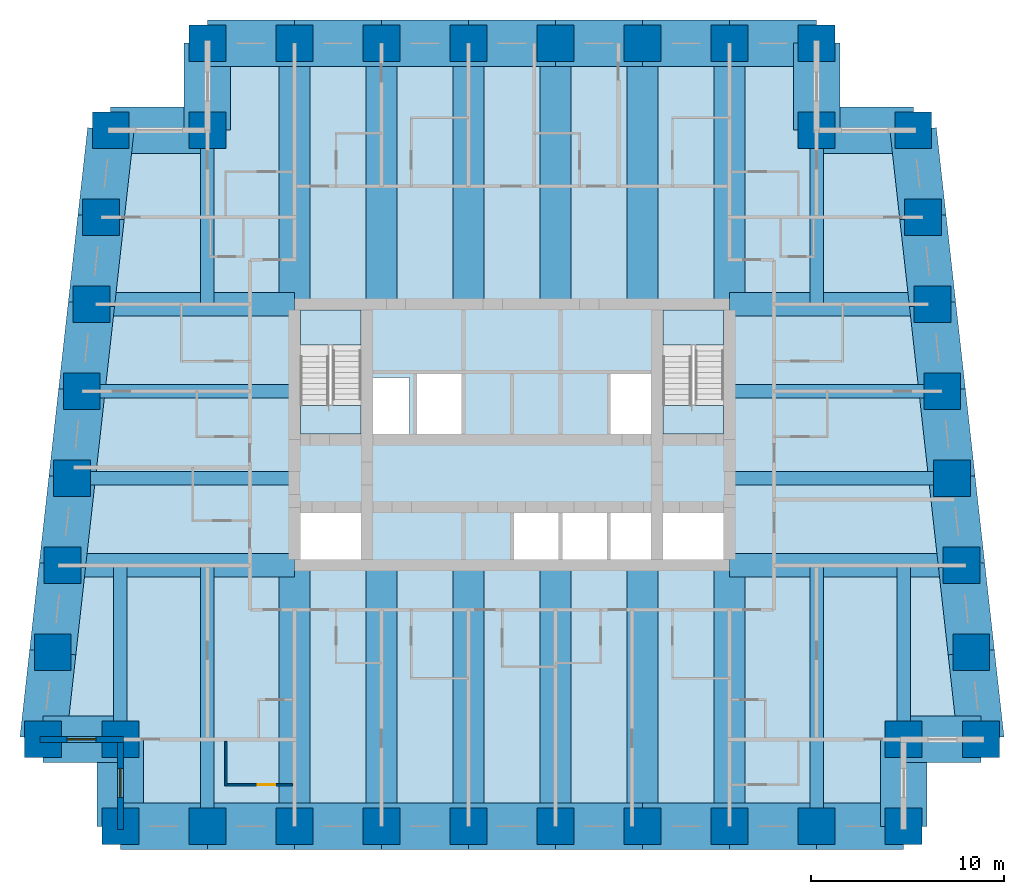
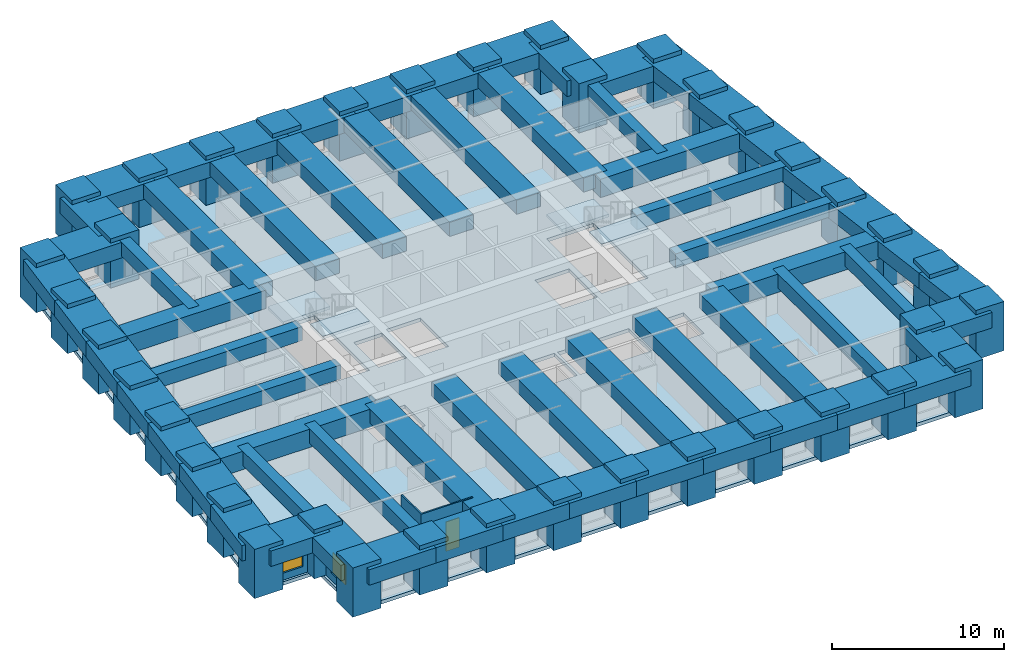
# One storey, part 1 of 8: 64 beams, 38 columns, 5 slabs, 4 walls, 2 windows, 1 door, 3 openings, 2 elements without a shape of their own.
"""IFC4 building model written with IfcOpenShell, lengths in metres."""

from ifc_helpers import new_model, si_unit, direction, frame, frame_2d, origin, origin_2d, place, context, subcontext, project, spatial, polyline, rectangle, outline, extrude, material, layer, layer_set, material_profile, profile_set, type_object, element, fill, aggregate, save


model = new_model("IFC4")

# Units and contexts
model_context = context("Model", 3, precision=1e-05, world=origin(), true_north=direction((0.0, 1.0)))
body_context = subcontext(model_context, "Body", "Model", "MODEL_VIEW")
ifc_project = project(units=[si_unit("LENGTHUNIT", "METRE"), si_unit("AREAUNIT", "SQUARE_METRE"), si_unit("VOLUMEUNIT", "CUBIC_METRE"), si_unit("PLANEANGLEUNIT", "RADIAN"), si_unit("MASSUNIT", "GRAM", prefix="KILO")], contexts=[model_context])

# Site, building, storey
site_placement = place(None, origin())
site = spatial("IfcSite", under=ifc_project, at=site_placement, CompositionType="ELEMENT")
building_placement = place(site_placement, origin())
building = spatial("IfcBuilding", under=site, at=building_placement, Name="Kilele Tower Hotel", CompositionType="ELEMENT")
storey_placement = place(building_placement, frame((0.0, 0.0, 142.39990234375)))
storey = spatial("IfcBuildingStorey", under=building, at=storey_placement, Name="L37", CompositionType="ELEMENT", Elevation=142.39990234375)

# Columns
ifc_material_1 = material(Name="Concrete C70/85", Category="concrete")
ifc_material_profile_1 = material_profile(ifc_material_1, rectangle(XDim=1.89990234375, YDim=1.89990234375, at=origin_2d()))
ifc_profile_set_1 = profile_set([ifc_material_profile_1], Name="Concrete C70/85")
column_type = type_object("IfcColumnType", Name="Tube column RC 1900x1900 C70/85", PredefinedType="COLUMN", material=ifc_profile_set_1)
for number, where, z_axis, x_axis, name in (
    (1, (0.5, 4.5, 0.0), (0.0, 0.0, 1.0), (1.0, 0.0, 0.0), "Column TC2 L37"),
    (2, (4.5, 4.5, 0.0), (0.0, 0.0, 1.0), (1.0, 0.0, 0.0), "Column TC2 L37"),
    (3, (4.5, 0.0, 0.0), (0.0, 0.0, 1.0), (1.0, 0.0, 0.0), "Column TC2 L37"),
    (4, (9.0, 0.0, 0.0), (0.0, 0.0, 1.0), (1.0, 0.0, 0.0), "Column TC2 L37"),
    (5, (13.5, 0.0, 0.0), (0.0, 0.0, 1.0), (1.0, 0.0, 0.0), "Column TC2 L37"),
    (6, (18.0, 0.0, 0.0), (0.0, 0.0, 1.0), (1.0, 0.0, 0.0), "Column TC2 L37"),
    (7, (22.5, 0.0, 0.0), (0.0, 0.0, 1.0), (1.0, 0.0, 0.0), "Column TC2 L37"),
    (8, (27.0, 0.0, 0.0), (0.0, 0.0, 1.0), (1.0, 0.0, 0.0), "Column TC2 L37"),
    (9, (31.5, 0.0, 0.0), (0.0, 0.0, 1.0), (1.0, 0.0, 0.0), "Column TC2 L37"),
    (10, (36.0, 0.0, 0.0), (0.0, 0.0, 1.0), (1.0, 0.0, 0.0), "Column TC2 L37"),
    (11, (40.5, 0.0, 0.0), (0.0, 0.0, 1.0), (1.0, 0.0, 0.0), "Column TC2 L37"),
    (12, (45.0, 0.0, 0.0), (0.0, 0.0, 1.0), (1.0, 0.0, 0.0), "Column TC2 L37"),
    (13, (45.0, 4.5, 0.0), (0.0, 0.0, 1.0), (1.0, 0.0, 0.0), "Column TC2 L37"),
    (14, (49.0, 4.5, 0.0), (0.0, 0.0, 1.0), (1.0, 0.0, 0.0), "Column TC2 L37"),
    (15, (48.5, 9.0, 0.0), (0.0, 0.0, 1.0), (1.0, 0.0, 0.0), "Column TC2 L37"),
    (16, (48.0, 13.5, 0.0), (0.0, 0.0, 1.0), (1.0, 0.0, 0.0), "Column TC2 L37"),
    (17, (47.5, 18.0, 0.0), (0.0, 0.0, 1.0), (1.0, 0.0, 0.0), "Column TC2 L37"),
    (18, (47.0, 22.5, 0.0), (0.0, 0.0, 1.0), (1.0, 0.0, 0.0), "Column TC2 L37"),
    (19, (46.5, 27.0, 0.0), (0.0, 0.0, 1.0), (1.0, 0.0, 0.0), "Column TC2 L37"),
    (20, (46.0, 31.5, 0.0), (0.0, 0.0, 1.0), (1.0, 0.0, 0.0), "Column TC2 L37"),
    (21, (45.5, 36.0, 0.0), (0.0, 0.0, 1.0), (1.0, 0.0, 0.0), "Column TC2 L37"),
    (22, (40.5, 36.0, 0.0), (0.0, 0.0, 1.0), (1.0, 0.0, 0.0), "Column TC2 L37"),
    (23, (40.5, 40.5, 0.0), (0.0, 0.0, 1.0), (1.0, 0.0, 0.0), "Column TC2 L37"),
    (24, (36.0, 40.5, 0.0), (0.0, 0.0, 1.0), (1.0, 0.0, 0.0), "Column TC2 L37"),
    (25, (31.5, 40.5, 0.0), (0.0, 0.0, 1.0), (1.0, 0.0, 0.0), "Column TC2 L37"),
    (26, (27.0, 40.5, 0.0), (0.0, 0.0, 1.0), (1.0, 0.0, 0.0), "Column TC2 L37"),
    (27, (22.5, 40.5, 0.0), (0.0, 0.0, 1.0), (1.0, 0.0, 0.0), "Column TC2 L37"),
    (28, (18.0, 40.5, 0.0), (0.0, 0.0, 1.0), (1.0, 0.0, 0.0), "Column TC2 L37"),
    (29, (13.5, 40.5, 0.0), (0.0, 0.0, 1.0), (1.0, 0.0, 0.0), "Column TC2 L37"),
    (30, (9.0, 40.5, 0.0), (0.0, 0.0, 1.0), (1.0, 0.0, 0.0), "Column TC2 L37"),
    (31, (9.0, 36.0, 0.0), (0.0, 0.0, 1.0), (1.0, 0.0, 0.0), "Column TC2 L37"),
    (32, (4.0, 36.0, 0.0), (0.0, 0.0, 1.0), (1.0, 0.0, 0.0), "Column TC2 L37"),
    (33, (3.5, 31.5, 0.0), (0.0, 0.0, 1.0), (1.0, 0.0, 0.0), "Column TC2 L37"),
    (34, (3.0, 27.0, 0.0), (0.0, 0.0, 1.0), (1.0, 0.0, 0.0), "Column TC2 L37"),
    (35, (2.5, 22.5, 0.0), (0.0, 0.0, 1.0), (1.0, 0.0, 0.0), "Column TC2 L37"),
    (36, (2.0, 18.0, 0.0), (0.0, 0.0, 1.0), (1.0, 0.0, 0.0), "Column TC2 L37"),
    (37, (1.5, 13.5, 0.0), (0.0, 0.0, 1.0), (1.0, 0.0, 0.0), "Column TC2 L37"),
    (38, (1.0, 9.0, 0.0), (0.0, 0.0, 1.0), (1.0, 0.0, 0.0), "Column TC2 L37"),
):
    element("IfcColumn", number, at=place(storey_placement, frame(where, z_axis=z_axis, x_axis=x_axis)), inside=storey, type_object=column_type, Name=name, PredefinedType="COLUMN", context=body_context, shape_type="SweptSolid", body=[
        extrude(rectangle(XDim=1.89990234375, YDim=1.89990234375, at=origin_2d()), origin(), (0.0, 0.0, 1.0), 3.5),
    ])

# Beams
ifc_material_2 = material(Name="Concrete C60/75", Category="concrete")
ifc_material_profile_2 = material_profile(ifc_material_2, rectangle(XDim=1.60009765625, YDim=1.0, at=origin_2d()))
ifc_profile_set_2 = profile_set([ifc_material_profile_2], Name="Concrete C60/75")
beam_type_1 = type_object("IfcBeamType", Name="Beam RC 1600x1000 C60/75", PredefinedType="BEAM", material=ifc_profile_set_2)
for number, where, z_axis, x_axis, name in (
    (39, (13.5, 0.0, 2.7001953125), (0.0, 1.0, 0.0), (-1.0, 0.0, 0.0), "Beam BC1 level L38"),
    (40, (18.0, 0.0, 2.7001953125), (0.0, 1.0, 0.0), (-1.0, 0.0, 0.0), "Beam BC1 level L38"),
    (41, (22.5, 0.0, 2.7001953125), (0.0, 1.0, 0.0), (-1.0, 0.0, 0.0), "Beam BC1 level L38"),
    (42, (27.0, 0.0, 2.7001953125), (0.0, 1.0, 0.0), (-1.0, 0.0, 0.0), "Beam BC1 level L38"),
    (43, (31.5, 0.0, 2.7001953125), (0.0, 1.0, 0.0), (-1.0, 0.0, 0.0), "Beam BC1 level L38"),
    (44, (36.0, 0.0, 2.7001953125), (0.0, 1.0, 0.0), (-1.0, 0.0, 0.0), "Beam BC1 level L38"),
    (45, (36.0, 40.5, 2.7001953125), (0.0, -1.0, 0.0), (1.0, 0.0, 0.0), "Beam BC1 level L38"),
    (46, (31.5, 40.5, 2.7001953125), (0.0, -1.0, 0.0), (1.0, 0.0, 0.0), "Beam BC1 level L38"),
    (47, (27.0, 40.5, 2.7001953125), (0.0, -1.0, 0.0), (1.0, 0.0, 0.0), "Beam BC1 level L38"),
    (48, (22.5, 40.5, 2.7001953125), (0.0, -1.0, 0.0), (1.0, 0.0, 0.0), "Beam BC1 level L38"),
    (49, (18.0, 40.5, 2.7001953125), (0.0, -1.0, 0.0), (1.0, 0.0, 0.0), "Beam BC1 level L38"),
    (50, (13.5, 40.5, 2.7001953125), (0.0, -1.0, 0.0), (1.0, 0.0, 0.0), "Beam BC1 level L38"),
):
    element("IfcBeam", number, at=place(storey_placement, frame(where, z_axis=z_axis, x_axis=x_axis)), inside=storey, type_object=beam_type_1, Name=name, PredefinedType="BEAM", context=body_context, shape_type="SweptSolid", body=[
        extrude(rectangle(XDim=1.60009765625, YDim=1.0, at=origin_2d()), origin(), (0.0, 0.0, 1.0), 13.5),
    ])
ifc_material_3 = material(Name="Concrete C60/75", Category="concrete")
ifc_material_profile_3 = material_profile(ifc_material_3, rectangle(XDim=0.699951171875, YDim=1.0, at=origin_2d()))
ifc_profile_set_3 = profile_set([ifc_material_profile_3], Name="Concrete C60/75")
beam_type_2 = type_object("IfcBeamType", Name="Beam RC 700x1000 C60/75", PredefinedType="BEAM", material=ifc_profile_set_3)
for number, where, z_axis, x_axis, name in (
    (51, (9.0, 0.0, 2.7001953125), (0.0, 1.0, 0.0), (-1.0, 0.0, 0.0), "Beam B4 level L38"),
    (52, (40.5, 0.0, 2.7001953125), (0.0, 1.0, 0.0), (-1.0, 0.0, 0.0), "Beam B4 level L38"),
):
    element("IfcBeam", number, at=place(storey_placement, frame(where, z_axis=z_axis, x_axis=x_axis)), inside=storey, type_object=beam_type_2, Name=name, PredefinedType="BEAM", context=body_context, shape_type="SweptSolid", body=[
        extrude(rectangle(XDim=0.699951171875, YDim=1.0, at=origin_2d()), origin(), (0.0, 0.0, 1.0), 13.5),
    ])
ifc_material_4 = material(Name="Concrete C60/75", Category="concrete")
ifc_material_profile_4 = material_profile(ifc_material_4, rectangle(XDim=0.699951171875, YDim=1.0, at=origin_2d()))
ifc_profile_set_4 = profile_set([ifc_material_profile_4], Name="Concrete C60/75")
beam_type_3 = type_object("IfcBeamType", Name="Beam RC 700x1000 C60/75 mid span", PredefinedType="BEAM", material=ifc_profile_set_4)
for number, where, z_axis, x_axis, name in (
    (53, (4.5, 4.5, 2.7001953125), (0.0, 1.0, 0.0), (-1.0, 0.0, 0.0), "Beam B5 level L38"),
    (54, (45.0, 4.5, 2.7001953125), (0.0, 1.0, 0.0), (-1.0, 0.0, 0.0), "Beam B5 level L38"),
):
    element("IfcBeam", number, at=place(storey_placement, frame(where, z_axis=z_axis, x_axis=x_axis)), inside=storey, type_object=beam_type_3, Name=name, PredefinedType="BEAM", context=body_context, shape_type="SweptSolid", body=[
        extrude(rectangle(XDim=0.699951171875, YDim=1.0, at=origin_2d()), origin(), (0.0, 0.0, 1.0), 9.0),
    ])
beam_1_placement = place(storey_placement, frame((47.5, 18.0, 2.7001953125), z_axis=(-1.0, 0.0, 0.0), x_axis=(0.0, -1.0, 0.0)))
element("IfcBeam", 55, at=beam_1_placement, inside=storey, type_object=beam_type_3, Name="Beam B5 level L38", PredefinedType="BEAM", context=body_context, shape_type="SweptSolid", body=[
    extrude(rectangle(XDim=0.699951171875, YDim=1.0, at=origin_2d()), origin(), (0.0, 0.0, 1.0), 11.5),
])
beam_2_placement = place(storey_placement, frame((47.0, 22.5, 2.7001953125), z_axis=(-1.0, 0.0, 0.0), x_axis=(0.0, -1.0, 0.0)))
element("IfcBeam", 56, at=beam_2_placement, inside=storey, type_object=beam_type_3, Name="Beam B5 level L38", PredefinedType="BEAM", context=body_context, shape_type="SweptSolid", body=[
    extrude(rectangle(XDim=0.699951171875, YDim=1.0, at=origin_2d()), origin(), (0.0, 0.0, 1.0), 11.0),
])
for number, where, z_axis, x_axis, name in (
    (57, (40.5, 36.0, 2.7001953125), (0.0, -1.0, 0.0), (1.0, 0.0, 0.0), "Beam B5 level L38"),
    (58, (9.0, 36.0, 2.7001953125), (0.0, -1.0, 0.0), (1.0, 0.0, 0.0), "Beam B5 level L38"),
):
    element("IfcBeam", number, at=place(storey_placement, frame(where, z_axis=z_axis, x_axis=x_axis)), inside=storey, type_object=beam_type_3, Name=name, PredefinedType="BEAM", context=body_context, shape_type="SweptSolid", body=[
        extrude(rectangle(XDim=0.699951171875, YDim=1.0, at=origin_2d()), origin(), (0.0, 0.0, 1.0), 9.0),
    ])
beam_3_placement = place(storey_placement, frame((2.5, 22.5, 2.7001953125), z_axis=(1.0, 0.0, 0.0), x_axis=(0.0, 1.0, 0.0)))
element("IfcBeam", 59, at=beam_3_placement, inside=storey, type_object=beam_type_3, Name="Beam B5 level L38", PredefinedType="BEAM", context=body_context, shape_type="SweptSolid", body=[
    extrude(rectangle(XDim=0.699951171875, YDim=1.0, at=origin_2d()), origin(), (0.0, 0.0, 1.0), 11.0),
])
beam_4_placement = place(storey_placement, frame((2.0, 18.0, 2.7001953125), z_axis=(1.0, 0.0, 0.0), x_axis=(0.0, 1.0, 0.0)))
element("IfcBeam", 60, at=beam_4_placement, inside=storey, type_object=beam_type_3, Name="Beam B5 level L38", PredefinedType="BEAM", context=body_context, shape_type="SweptSolid", body=[
    extrude(rectangle(XDim=0.699951171875, YDim=1.0, at=origin_2d()), origin(), (0.0, 0.0, 1.0), 11.5),
])
ifc_material_5 = material(Name="Concrete C60/75", Category="concrete")
ifc_material_profile_5 = material_profile(ifc_material_5, rectangle(XDim=1.199951171875, YDim=1.300048828125, at=origin_2d()))
ifc_profile_set_5 = profile_set([ifc_material_profile_5], Name="Concrete C60/75")
beam_type_4 = type_object("IfcBeamType", Name="Girder RC 1200x1300 C60/75", PredefinedType="BEAM", material=ifc_profile_set_5)
for number, where, z_axis, x_axis, name in (
    (61, (48.0, 13.5, 2.550048828125), (-1.0, 0.0, 0.0), (0.0, -1.0, 0.0), "Girder G1 level L38"),
    (62, (1.5, 13.5, 2.550048828125), (1.0, 0.0, 0.0), (0.0, 1.0, 0.0), "Girder G1 level L38"),
):
    element("IfcBeam", number, at=place(storey_placement, frame(where, z_axis=z_axis, x_axis=x_axis)), inside=storey, type_object=beam_type_4, Name=name, PredefinedType="BEAM", context=body_context, shape_type="SweptSolid", body=[
        extrude(rectangle(XDim=1.199951171875, YDim=1.300048828125, at=origin_2d()), origin(), (0.0, 0.0, 1.0), 12.0),
    ])
ifc_material_6 = material(Name="Concrete C60/75", Category="concrete")
ifc_material_profile_6 = material_profile(ifc_material_6, rectangle(XDim=1.199951171875, YDim=1.300048828125, at=origin_2d()))
ifc_profile_set_6 = profile_set([ifc_material_profile_6], Name="Concrete C60/75")
beam_type_5 = type_object("IfcBeamType", Name="Girder RC 1200x1300 C60/75 mid span", PredefinedType="BEAM", material=ifc_profile_set_6)
for number, where, z_axis, x_axis, name in (
    (63, (46.5, 27.0, 2.550048828125), (-1.0, 0.0, 0.0), (0.0, -1.0, 0.0), "Girder G3 level L38"),
    (64, (3.0, 27.0, 2.550048828125), (1.0, 0.0, 0.0), (0.0, 1.0, 0.0), "Girder G3 level L38"),
):
    element("IfcBeam", number, at=place(storey_placement, frame(where, z_axis=z_axis, x_axis=x_axis)), inside=storey, type_object=beam_type_5, Name=name, PredefinedType="BEAM", context=body_context, shape_type="SweptSolid", body=[
        extrude(rectangle(XDim=1.199951171875, YDim=1.300048828125, at=origin_2d()), origin(), (0.0, 0.0, 1.0), 10.5),
    ])
ifc_material_7 = material(Name="Concrete C60/75", Category="concrete")
ifc_material_profile_7 = material_profile(ifc_material_7, rectangle(XDim=2.39990234375, YDim=1.10009765625, at=origin_2d()))
ifc_profile_set_7 = profile_set([ifc_material_profile_7], Name="Concrete C60/75")
beam_type_6 = type_object("IfcBeamType", Name="Spandrel RC 2400x1100 C60/75", PredefinedType="SPANDREL", material=ifc_profile_set_7)
beam_5_placement = place(storey_placement, frame((0.5, 4.5, 2.650146484375), z_axis=(1.0, 0.0, 0.0), x_axis=(0.0, 1.0, 0.0)))
element("IfcBeam", 65, at=beam_5_placement, inside=storey, type_object=beam_type_6, Name="Spandrel SP7 level L38", PredefinedType="SPANDREL", context=body_context, shape_type="SweptSolid", body=[
    extrude(rectangle(XDim=2.39990234375, YDim=1.10009765625, at=origin_2d()), origin(), (0.0, 0.0, 1.0), 4.0),
])
for number, where, z_axis, x_axis, name in (
    (66, (4.5, 4.5, 2.650146484375), (0.0, -1.0, 0.0), (1.0, 0.0, 0.0), "Spandrel SP7 level L38"),
    (67, (4.5, 0.0, 2.650146484375), (1.0, 0.0, 0.0), (0.0, 1.0, 0.0), "Spandrel SP7 level L38"),
    (68, (9.0, 0.0, 2.650146484375), (1.0, 0.0, 0.0), (0.0, 1.0, 0.0), "Spandrel SP7 level L38"),
    (69, (13.5, 0.0, 2.650146484375), (1.0, 0.0, 0.0), (0.0, 1.0, 0.0), "Spandrel SP7 level L38"),
    (70, (18.0, 0.0, 2.650146484375), (1.0, 0.0, 0.0), (0.0, 1.0, 0.0), "Spandrel SP7 level L38"),
    (71, (22.5, 0.0, 2.650146484375), (1.0, 0.0, 0.0), (0.0, 1.0, 0.0), "Spandrel SP7 level L38"),
    (72, (27.0, 0.0, 2.650146484375), (1.0, 0.0, 0.0), (0.0, 1.0, 0.0), "Spandrel SP7 level L38"),
    (73, (31.5, 0.0, 2.650146484375), (1.0, 0.0, 0.0), (0.0, 1.0, 0.0), "Spandrel SP7 level L38"),
    (74, (36.0, 0.0, 2.650146484375), (1.0, 0.0, 0.0), (0.0, 1.0, 0.0), "Spandrel SP7 level L38"),
    (75, (40.5, 0.0, 2.650146484375), (1.0, 0.0, 0.0), (0.0, 1.0, 0.0), "Spandrel SP7 level L38"),
    (76, (45.0, 0.0, 2.650146484375), (0.0, 1.0, 0.0), (-1.0, 0.0, 0.0), "Spandrel SP7 level L38"),
):
    element("IfcBeam", number, at=place(storey_placement, frame(where, z_axis=z_axis, x_axis=x_axis)), inside=storey, type_object=beam_type_6, Name=name, PredefinedType="SPANDREL", context=body_context, shape_type="SweptSolid", body=[
        extrude(rectangle(XDim=2.39990234375, YDim=1.10009765625, at=origin_2d()), origin(), (0.0, 0.0, 1.0), 4.5),
    ])
beam_6_placement = place(storey_placement, frame((45.0, 4.5, 2.650146484375), z_axis=(1.0, 0.0, 0.0), x_axis=(0.0, 1.0, 0.0)))
element("IfcBeam", 77, at=beam_6_placement, inside=storey, type_object=beam_type_6, Name="Spandrel SP7 level L38", PredefinedType="SPANDREL", context=body_context, shape_type="SweptSolid", body=[
    extrude(rectangle(XDim=2.39990234375, YDim=1.10009765625, at=origin_2d()), origin(), (0.0, 0.0, 1.0), 4.0),
])
for number, where, z_axis, x_axis, name in (
    (78, (49.0, 4.5, 2.650146484375), (-0.110431526075, 0.993883734674, 0.0), (-0.993883734674, -0.110431526075, 0.0), "Spandrel SP7 level L38"),
    (79, (48.5, 9.0, 2.650146484375), (-0.110431526075, 0.993883734674, 0.0), (-0.993883734674, -0.110431526075, 0.0), "Spandrel SP7 level L38"),
    (80, (48.0, 13.5, 2.650146484375), (-0.110431526075, 0.993883734674, 0.0), (-0.993883734674, -0.110431526075, 0.0), "Spandrel SP7 level L38"),
    (81, (47.5, 18.0, 2.650146484375), (-0.110431526075, 0.993883734674, 0.0), (-0.993883734674, -0.110431526075, 0.0), "Spandrel SP7 level L38"),
    (82, (47.0, 22.5, 2.650146484375), (-0.110431526075, 0.993883734674, 0.0), (-0.993883734674, -0.110431526075, 0.0), "Spandrel SP7 level L38"),
    (83, (46.5, 27.0, 2.650146484375), (-0.110431526075, 0.993883734674, 0.0), (-0.993883734674, -0.110431526075, 0.0), "Spandrel SP7 level L38"),
    (84, (46.0, 31.5, 2.650146484375), (-0.110431526075, 0.993883734674, 0.0), (-0.993883734674, -0.110431526075, 0.0), "Spandrel SP7 level L38"),
):
    element("IfcBeam", number, at=place(storey_placement, frame(where, z_axis=z_axis, x_axis=x_axis)), inside=storey, type_object=beam_type_6, Name=name, PredefinedType="SPANDREL", context=body_context, shape_type="SweptSolid", body=[
        extrude(rectangle(XDim=2.39990234375, YDim=1.10009765625, at=origin_2d()), origin(), (0.0, 0.0, 1.0), 4.527587890625),
    ])
beam_7_placement = place(storey_placement, frame((45.5, 36.0, 2.650146484375), z_axis=(-1.0, 0.0, 0.0), x_axis=(0.0, -1.0, 0.0)))
element("IfcBeam", 85, at=beam_7_placement, inside=storey, type_object=beam_type_6, Name="Spandrel SP7 level L38", PredefinedType="SPANDREL", context=body_context, shape_type="SweptSolid", body=[
    extrude(rectangle(XDim=2.39990234375, YDim=1.10009765625, at=origin_2d()), origin(), (0.0, 0.0, 1.0), 5.0),
])
for number, where, z_axis, x_axis, name in (
    (86, (40.5, 36.0, 2.650146484375), (0.0, 1.0, 0.0), (-1.0, 0.0, 0.0), "Spandrel SP7 level L38"),
    (87, (40.5, 40.5, 2.650146484375), (-1.0, 0.0, 0.0), (0.0, -1.0, 0.0), "Spandrel SP7 level L38"),
    (88, (36.0, 40.5, 2.650146484375), (-1.0, 0.0, 0.0), (0.0, -1.0, 0.0), "Spandrel SP7 level L38"),
    (89, (31.5, 40.5, 2.650146484375), (-1.0, 0.0, 0.0), (0.0, -1.0, 0.0), "Spandrel SP7 level L38"),
    (90, (27.0, 40.5, 2.650146484375), (-1.0, 0.0, 0.0), (0.0, -1.0, 0.0), "Spandrel SP7 level L38"),
    (91, (22.5, 40.5, 2.650146484375), (-1.0, 0.0, 0.0), (0.0, -1.0, 0.0), "Spandrel SP7 level L38"),
    (92, (18.0, 40.5, 2.650146484375), (-1.0, 0.0, 0.0), (0.0, -1.0, 0.0), "Spandrel SP7 level L38"),
    (93, (13.5, 40.5, 2.650146484375), (-1.0, 0.0, 0.0), (0.0, -1.0, 0.0), "Spandrel SP7 level L38"),
    (94, (9.0, 40.5, 2.650146484375), (0.0, -1.0, 0.0), (1.0, 0.0, 0.0), "Spandrel SP7 level L38"),
):
    element("IfcBeam", number, at=place(storey_placement, frame(where, z_axis=z_axis, x_axis=x_axis)), inside=storey, type_object=beam_type_6, Name=name, PredefinedType="SPANDREL", context=body_context, shape_type="SweptSolid", body=[
        extrude(rectangle(XDim=2.39990234375, YDim=1.10009765625, at=origin_2d()), origin(), (0.0, 0.0, 1.0), 4.5),
    ])
beam_8_placement = place(storey_placement, frame((9.0, 36.0, 2.650146484375), z_axis=(-1.0, 0.0, 0.0), x_axis=(0.0, -1.0, 0.0)))
element("IfcBeam", 95, at=beam_8_placement, inside=storey, type_object=beam_type_6, Name="Spandrel SP7 level L38", PredefinedType="SPANDREL", context=body_context, shape_type="SweptSolid", body=[
    extrude(rectangle(XDim=2.39990234375, YDim=1.10009765625, at=origin_2d()), origin(), (0.0, 0.0, 1.0), 5.0),
])
for number, where, z_axis, x_axis, name in (
    (96, (4.0, 36.0, 2.650146484375), (-0.110431526075, -0.993883734674, 0.0), (0.993883734674, -0.110431526075, 0.0), "Spandrel SP7 level L38"),
    (97, (3.5, 31.5, 2.650146484375), (-0.110431526075, -0.993883734674, 0.0), (0.993883734674, -0.110431526075, 0.0), "Spandrel SP7 level L38"),
    (98, (3.0, 27.0, 2.650146484375), (-0.110431526075, -0.993883734674, 0.0), (0.993883734674, -0.110431526075, 0.0), "Spandrel SP7 level L38"),
    (99, (2.5, 22.5, 2.650146484375), (-0.110431526075, -0.993883734674, 0.0), (0.993883734674, -0.110431526075, 0.0), "Spandrel SP7 level L38"),
    (100, (2.0, 18.0, 2.650146484375), (-0.110431526075, -0.993883734674, 0.0), (0.993883734674, -0.110431526075, 0.0), "Spandrel SP7 level L38"),
    (101, (1.5, 13.5, 2.650146484375), (-0.110431526075, -0.993883734674, 0.0), (0.993883734674, -0.110431526075, 0.0), "Spandrel SP7 level L38"),
    (102, (1.0, 9.0, 2.650146484375), (-0.110431526075, -0.993883734674, 0.0), (0.993883734674, -0.110431526075, 0.0), "Spandrel SP7 level L38"),
):
    element("IfcBeam", number, at=place(storey_placement, frame(where, z_axis=z_axis, x_axis=x_axis)), inside=storey, type_object=beam_type_6, Name=name, PredefinedType="SPANDREL", context=body_context, shape_type="SweptSolid", body=[
        extrude(rectangle(XDim=2.39990234375, YDim=1.10009765625, at=origin_2d()), origin(), (0.0, 0.0, 1.0), 4.527587890625),
    ])

# Slab
ifc_material_8 = material(Name="Concrete C60/75", Category="concrete")
ifc_layer_1 = layer(ifc_material_8, 0.25)
ifc_layer_set_1 = layer_set([ifc_layer_1], Name="Concrete C60/75")
slab_type_1 = type_object("IfcSlabType", Name="Floor slab 250", PredefinedType="FLOOR", material=ifc_layer_set_1)
slab_1_placement = place(storey_placement, frame((0.0, 0.0, -0.25)))
element("IfcSlab", 103, at=slab_1_placement, inside=storey, type_object=slab_type_1, Name="Floor slab L37", PredefinedType="FLOOR", context=body_context, shape_type="SweptSolid", body=[
    extrude(outline(polyline([(8.699951171875, 36.300048828125), (8.699951171875, 40.800048828125), (40.800048828125, 40.800048828125), (40.800048828125, 36.300048828125), (45.7685546875, 36.300048828125), (49.335205078125, 4.199951171875), (45.300048828125, 4.199951171875), (45.300048828125, -0.300048828125), (4.199951171875, -0.300048828125), (4.199951171875, 4.199951171875), (0.164794921875, 4.199951171875), (3.7314453125, 36.300048828125), (8.699951171875, 36.300048828125)]), holes=[polyline([(16.949951171875, 16.199951171875), (13.800048828125, 16.199951171875), (13.800048828125, 13.800048828125), (16.949951171875, 13.800048828125), (16.949951171875, 16.199951171875)]), polyline([(35.699951171875, 16.199951171875), (32.550048828125, 16.199951171875), (32.550048828125, 13.800048828125), (35.699951171875, 13.800048828125), (35.699951171875, 16.199951171875)]), polyline([(27.14990234375, 16.39990234375), (24.85009765625, 16.39990234375), (24.85009765625, 13.800048828125), (27.14990234375, 13.800048828125), (27.14990234375, 16.39990234375)]), polyline([(29.64990234375, 13.800048828125), (29.64990234375, 16.39990234375), (27.35009765625, 16.39990234375), (27.35009765625, 13.800048828125), (29.64990234375, 13.800048828125)]), polyline([(32.14990234375, 13.800048828125), (32.14990234375, 16.39990234375), (29.85009765625, 16.39990234375), (29.85009765625, 13.800048828125), (32.14990234375, 13.800048828125)]), polyline([(19.449951171875, 23.199951171875), (17.550048828125, 23.199951171875), (17.550048828125, 20.300048828125), (19.449951171875, 20.300048828125), (19.449951171875, 23.199951171875)]), polyline([(22.14990234375, 23.39990234375), (19.85009765625, 23.39990234375), (19.85009765625, 20.10009765625), (22.14990234375, 20.10009765625), (22.14990234375, 23.39990234375)]), polyline([(32.14990234375, 23.39990234375), (29.85009765625, 23.39990234375), (29.85009765625, 20.10009765625), (32.14990234375, 20.10009765625), (32.14990234375, 23.39990234375)]), polyline([(16.949951171875, 20.300048828125), (16.949951171875, 26.699951171875), (13.800048828125, 26.699951171875), (13.800048828125, 20.300048828125), (16.949951171875, 20.300048828125)]), polyline([(35.699951171875, 20.300048828125), (35.699951171875, 26.699951171875), (32.550048828125, 26.699951171875), (32.550048828125, 20.300048828125), (35.699951171875, 20.300048828125)])]), origin(), (0.0, 0.0, 1.0), 0.25),
])

# Stair, slabs
ifc_material_9 = material(Name="Precast concrete C40/50", Category="concrete")
stair_type = type_object("IfcStairType", Name="Stair 1475 x 3500", PredefinedType="HALF_TURN_STAIR", material=ifc_material_9)
stair_1_placement = place(storey_placement, origin())
stair_1 = element("IfcStair", 104, at=stair_1_placement, inside=storey, type_object=stair_type, Name="Stair 1 L37", PredefinedType="HALF_TURN_STAIR")
ifc_material_10 = material(Name="Precast concrete C40/50", Category="concrete")
ifc_layer_2 = layer(ifc_material_10, 0.199951171875)
ifc_layer_set_2 = layer_set([ifc_layer_2], Name="Precast concrete C40/50")
slab_type_2 = type_object("IfcSlabType", Name="Stair landing 200", PredefinedType="LANDING", material=ifc_layer_set_2)
slab_2_placement = place(storey_placement, frame((0.0, 0.0, 1.550048828125)))
slab_2 = element("IfcSlab", 105, at=slab_2_placement, type_object=slab_type_2, Name="ST1 landing 1", PredefinedType="LANDING", context=body_context, shape_type="SweptSolid", body=[
    extrude(outline(polyline([(13.800048828125, 24.89501953125), (16.949951171875, 24.89501953125), (16.949951171875, 26.699951171875), (13.800048828125, 26.699951171875), (13.800048828125, 24.89501953125)])), origin(), (0.0, 0.0, 1.0), 0.199951171875),
])
slab_3_placement = place(storey_placement, frame((0.0, 0.0, 3.300048828125)))
slab_3 = element("IfcSlab", 106, at=slab_3_placement, type_object=slab_type_2, Name="ST1 landing 2", PredefinedType="LANDING", context=body_context, shape_type="SweptSolid", body=[
    extrude(outline(polyline([(13.800048828125, 20.300048828125), (16.949951171875, 20.300048828125), (16.949951171875, 21.77490234375), (13.800048828125, 21.77490234375), (13.800048828125, 20.300048828125)])), origin(), (0.0, 0.0, 1.0), 0.199951171875),
])
aggregate(stair_1, [slab_2, slab_3])

stair_2_placement = place(storey_placement, origin())
stair_2 = element("IfcStair", 107, at=stair_2_placement, inside=storey, type_object=stair_type, Name="Stair 2 L37", PredefinedType="HALF_TURN_STAIR")
slab_4_placement = place(storey_placement, frame((0.0, 0.0, 1.550048828125)))
slab_4 = element("IfcSlab", 108, at=slab_4_placement, type_object=slab_type_2, Name="ST2 landing 1", PredefinedType="LANDING", context=body_context, shape_type="SweptSolid", body=[
    extrude(outline(polyline([(32.550048828125, 24.89501953125), (35.699951171875, 24.89501953125), (35.699951171875, 26.699951171875), (32.550048828125, 26.699951171875), (32.550048828125, 24.89501953125)])), origin(), (0.0, 0.0, 1.0), 0.199951171875),
])
slab_5_placement = place(storey_placement, frame((0.0, 0.0, 3.300048828125)))
slab_5 = element("IfcSlab", 109, at=slab_5_placement, type_object=slab_type_2, Name="ST2 landing 2", PredefinedType="LANDING", context=body_context, shape_type="SweptSolid", body=[
    extrude(outline(polyline([(32.550048828125, 20.300048828125), (35.699951171875, 20.300048828125), (35.699951171875, 21.77490234375), (32.550048828125, 21.77490234375), (32.550048828125, 20.300048828125)])), origin(), (0.0, 0.0, 1.0), 0.199951171875),
])
aggregate(stair_2, [slab_4, slab_5])

# Wall
ifc_material_11 = material(Name="Moisture-resistant board")
ifc_layer_3 = layer(ifc_material_11, 0.10009765625)
ifc_layer_set_3 = layer_set([ifc_layer_3], Name="Moisture-resistant board")
wall_type_1 = type_object("IfcWallType", Name="Bathroom partition 100", PredefinedType="PLUMBINGWALL", material=ifc_layer_set_3)
wall_1_placement = place(storey_placement, frame((9.949951171875, 4.39990234375, 0.0), z_axis=(0.0, 0.0, 1.0), x_axis=(0.0, -1.0, 0.0)))
element("IfcWall", 110, at=wall_1_placement, inside=storey, type_object=wall_type_1, Name="Bathroom partition 100 L37", PredefinedType="PLUMBINGWALL", context=body_context, shape_type="SweptSolid", body=[
    extrude(rectangle(XDim=2.2998046875, YDim=0.10009765625, at=frame_2d((1.14990234375, 0.0))), origin(), (0.0, 0.0, 1.0), 3.25),
])

# Wall, opening, door
wall_2_placement = place(storey_placement, frame((13.39990234375, 2.14990234375, 0.0), z_axis=(0.0, 0.0, 1.0), x_axis=(-1.0, 0.0, 0.0)))
wall_2 = element("IfcWall", 111, at=wall_2_placement, inside=storey, type_object=wall_type_1, Name="Bathroom partition 100 L37", PredefinedType="PLUMBINGWALL", context=body_context, shape_type="SweptSolid", body=[
    extrude(rectangle(XDim=3.5, YDim=0.10009765625, at=frame_2d((1.75, 0.0))), origin(), (0.0, 0.0, 1.0), 3.25),
])
opening_1_placement = place(wall_2_placement, frame((0.89990234375, 0.0, 0.0)))
opening_1 = element("IfcOpeningElement", 112, at=opening_1_placement, cuts=wall_2, Name="Opening D2A", PredefinedType="OPENING", context=body_context, shape_type="SweptSolid", body=[
    extrude(rectangle(XDim=0.89990234375, YDim=2.10009765625, at=frame_2d((0.449951171875, 1.050048828125))), frame((0.0, 0.06005859375, 0.0), z_axis=(0.0, -1.0, 0.0), x_axis=(1.0, 0.0, 0.0)), (0.0, 0.0, 1.0), 0.1201171875),
])
ifc_material_12 = material(Name="Timber door leaf in hardwood frame", Category="wood")
door_type = type_object("IfcDoorType", Name="Bathroom door 900", OperationType="SINGLE_SWING_LEFT", PredefinedType="DOOR", material=ifc_material_12)
door_placement = place(opening_1_placement, origin())
door = element("IfcDoor", 113, at=door_placement, inside=storey, type_object=door_type, Name="Bathroom door 3719B", OperationType="SINGLE_SWING_LEFT", OverallHeight=2.10009765625, OverallWidth=0.89990234375, PredefinedType="DOOR", context=body_context, shape_type="SweptSolid", body=[
    extrude(rectangle(XDim=0.89990234375, YDim=2.10009765625, at=frame_2d((0.449951171875, 1.050048828125))), frame((0.0, 0.02490234375, 0.0), z_axis=(0.0, -1.0, 0.0), x_axis=(1.0, 0.0, 0.0)), (0.0, 0.0, 1.0), 0.050048828125),
])
fill(opening_1, door)

# Wall, opening, window
ifc_material_13 = material(Name="Concrete C40/50 precast", Category="concrete")
ifc_layer_4 = layer(ifc_material_13, 0.260009765625, Name="Precast backing", Category="LoadBearing")
ifc_material_14 = material(Name="Reconstituted stone finish", Category="masonry")
ifc_layer_5 = layer(ifc_material_14, 0.0400390625, Name="Face mix", Category="Finish")
ifc_layer_set_4 = layer_set([ifc_layer_4, ifc_layer_5], Name="Precast concrete C40/50, reconstituted stone finish")
wall_type_2 = type_object("IfcWallType", Name="Precast stone facade wall 300", PredefinedType="STANDARD", material=ifc_layer_set_4)
wall_3_placement = place(storey_placement, frame((0.35009765625, 4.5, 0.0), z_axis=(0.0, 0.0, 1.0), x_axis=(1.0, 0.0, 0.0)))
wall_3 = element("IfcWall", 114, at=wall_3_placement, inside=storey, type_object=wall_type_2, Name="Facade wall L37 edge 1", PredefinedType="STANDARD", context=body_context, shape_type="SweptSolid", body=[
    extrude(rectangle(XDim=4.2998046875, YDim=0.300048828125, at=frame_2d((2.14990234375, 0.0))), origin(), (0.0, 0.0, 1.0), 2.10009765625),
])
opening_2_placement = place(wall_3_placement, frame((1.39990234375, 0.0, 0.5)))
opening_2 = element("IfcOpeningElement", 115, at=opening_2_placement, cuts=wall_3, Name="Opening W2", PredefinedType="OPENING", context=body_context, shape_type="SweptSolid", body=[
    extrude(rectangle(XDim=1.5, YDim=1.39990234375, at=frame_2d((0.75, 0.699951171875))), frame((0.0, 0.159912109375, 0.0), z_axis=(0.0, -1.0, 0.0), x_axis=(1.0, 0.0, 0.0)), (0.0, 0.0, 1.0), 0.320068359375),
])
ifc_material_15 = material(Name="Aluminium frame, clear double glazing", Category="aluminium")
window_type = type_object("IfcWindowType", Name="Window W2 1500 x 1400", PartitioningType="SINGLE_PANEL", PredefinedType="WINDOW", material=ifc_material_15)
window_1_placement = place(opening_2_placement, origin())
window_1 = element("IfcWindow", 116, at=window_1_placement, inside=storey, type_object=window_type, Name="Window L37", OverallHeight=1.39990234375, OverallWidth=1.5, PartitioningType="SINGLE_PANEL", PredefinedType="WINDOW", context=body_context, shape_type="SweptSolid", body=[
    extrude(rectangle(XDim=1.5, YDim=1.39990234375, at=frame_2d((0.75, 0.699951171875))), frame((0.0, 0.030029296875, 0.0), z_axis=(0.0, -1.0, 0.0), x_axis=(1.0, 0.0, 0.0)), (0.0, 0.0, 1.0), 0.06005859375),
])
fill(opening_2, window_1)

wall_4_placement = place(storey_placement, frame((4.5, 4.64990234375, 0.0), z_axis=(0.0, 0.0, 1.0), x_axis=(0.0, -1.0, 0.0)))
wall_4 = element("IfcWall", 117, at=wall_4_placement, inside=storey, type_object=wall_type_2, Name="Facade wall L37 edge 2", PredefinedType="STANDARD", context=body_context, shape_type="SweptSolid", body=[
    extrude(rectangle(XDim=4.7998046875, YDim=0.300048828125, at=frame_2d((2.39990234375, 0.0))), origin(), (0.0, 0.0, 1.0), 2.10009765625),
])
opening_3_placement = place(wall_4_placement, frame((1.64990234375, 0.0, 0.5)))
opening_3 = element("IfcOpeningElement", 118, at=opening_3_placement, cuts=wall_4, Name="Opening W2", PredefinedType="OPENING", context=body_context, shape_type="SweptSolid", body=[
    extrude(rectangle(XDim=1.5, YDim=1.39990234375, at=frame_2d((0.75, 0.699951171875))), frame((0.0, 0.159912109375, 0.0), z_axis=(0.0, -1.0, 0.0), x_axis=(1.0, 0.0, 0.0)), (0.0, 0.0, 1.0), 0.320068359375),
])
window_2_placement = place(opening_3_placement, origin())
window_2 = element("IfcWindow", 119, at=window_2_placement, inside=storey, type_object=window_type, Name="Window L37", OverallHeight=1.39990234375, OverallWidth=1.5, PartitioningType="SINGLE_PANEL", PredefinedType="WINDOW", context=body_context, shape_type="SweptSolid", body=[
    extrude(rectangle(XDim=1.5, YDim=1.39990234375, at=frame_2d((0.75, 0.699951171875))), frame((0.0, 0.030029296875, 0.0), z_axis=(0.0, -1.0, 0.0), x_axis=(1.0, 0.0, 0.0)), (0.0, 0.0, 1.0), 0.06005859375),
])
fill(opening_3, window_2)

save(model, "model.ifc")
